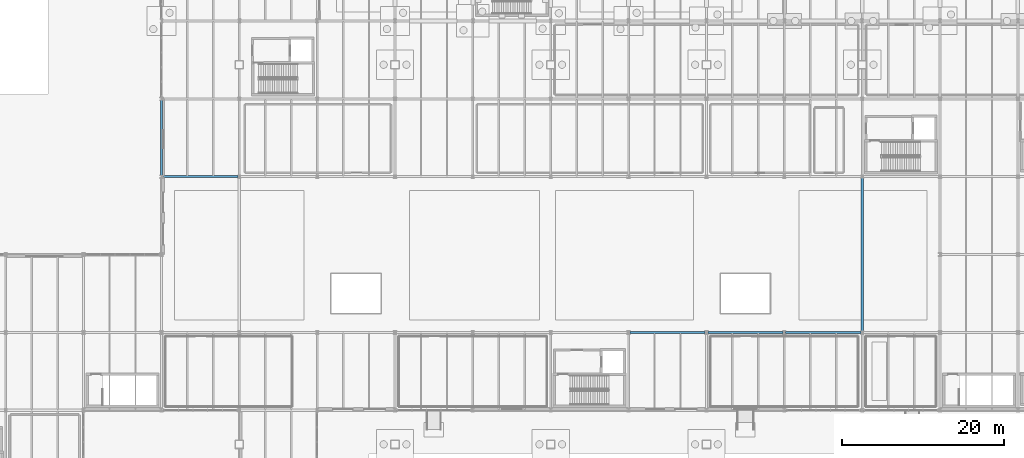
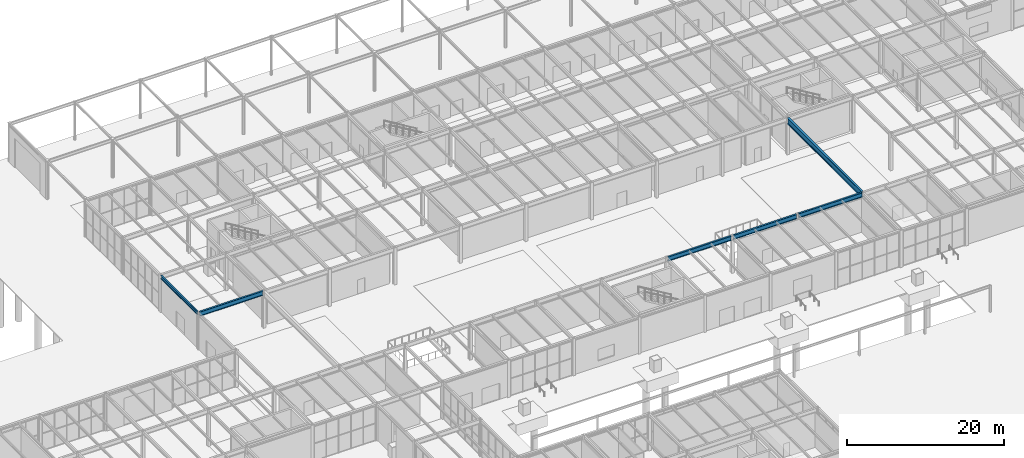
# One storey, part 69 of 142: 6 beams.
"""IFC4 building model written with IfcOpenShell, lengths in metres."""

from ifc_helpers import new_model, si_unit, direction, frame, origin, origin_2d, place, context, subcontext, project, spatial, i_section, extrude, material, material_profile, profile_set, type_object, element, save


model = new_model("IFC4")

# Units and contexts
model_context = context("Model", 3, precision=1e-05, world=origin(), true_north=direction((0.0, 1.0)))
body_context = subcontext(model_context, "Body", "Model", "MODEL_VIEW")
ifc_project = project(units=[si_unit("LENGTHUNIT", "METRE"), si_unit("AREAUNIT", "SQUARE_METRE"), si_unit("VOLUMEUNIT", "CUBIC_METRE"), si_unit("PLANEANGLEUNIT", "RADIAN"), si_unit("MASSUNIT", "GRAM", prefix="KILO")], contexts=[model_context])

# Site, building, storey
site_placement = place(None, origin())
site = spatial("IfcSite", under=ifc_project, at=site_placement, CompositionType="ELEMENT")
building_placement = place(site_placement, origin())
building = spatial("IfcBuilding", under=site, at=building_placement, Name="Coralgate Yard Interchange", CompositionType="ELEMENT")
storey_placement = place(building_placement, origin())
storey = spatial("IfcBuildingStorey", under=building, at=storey_placement, Name="L00", CompositionType="ELEMENT", Elevation=0.0)

# Beams
ifc_material = material(Name="Structural steel S355J2", Category="steel")
ifc_material_profile_1 = material_profile(ifc_material, i_section(OverallWidth=0.209228515625, OverallDepth=0.533203125, WebThickness=0.010009765625, FlangeThickness=0.015625, FilletRadius=0.0126953125, at=origin_2d()), Name="UB 533x210x92")
ifc_profile_set_1 = profile_set([ifc_material_profile_1], Name="Structural steel S355J2")
beam_type_1 = type_object("IfcBeamType", Name="BM-SB-1", PredefinedType="BEAM", material=ifc_profile_set_1)
beam_1_placement = place(storey_placement, frame((38.39990234375, 67.36669921875, 5.4833984375), z_axis=(0.0, 1.0, 0.0), x_axis=(-1.0, 0.0, 0.0)))
element("IfcBeam", 1, at=beam_1_placement, inside=storey, type_object=beam_type_1, Name="L00 primary grid girder X4 Y7-8", PredefinedType="BEAM", context=body_context, shape_type="SweptSolid", body=[
    extrude(i_section(OverallWidth=0.209228515625, OverallDepth=0.533203125, WebThickness=0.010009765625, FlangeThickness=0.015625, FilletRadius=0.0126953125, at=origin_2d()), origin(), (0.0, 0.0, 1.0), 9.2666015625),
])
ifc_material_profile_2 = material_profile(ifc_material, i_section(OverallWidth=0.305419921875, OverallDepth=0.91845703125, WebThickness=0.017333984375, FlangeThickness=0.02783203125, FilletRadius=0.01904296875, at=origin_2d()), Name="UB 914x305x253")
ifc_profile_set_2 = profile_set([ifc_material_profile_2], Name="Structural steel S355J2")
beam_type_2 = type_object("IfcBeamType", Name="BM-SG-1", PredefinedType="BEAM", material=ifc_profile_set_2)
beam_2_placement = place(storey_placement, frame((124.800048828125, 48.166748046875, 5.290771484375), z_axis=(0.0, 1.0, 0.0), x_axis=(-1.0, 0.0, 0.0)))
element("IfcBeam", 2, at=beam_2_placement, inside=storey, type_object=beam_type_2, Name="L00 primary grid girder X13 Y5-7", PredefinedType="BEAM", context=body_context, shape_type="SweptSolid", body=[
    extrude(i_section(OverallWidth=0.305419921875, OverallDepth=0.91845703125, WebThickness=0.017333984375, FlangeThickness=0.02783203125, FilletRadius=0.01904296875, at=origin_2d()), origin(), (0.0, 0.0, 1.0), 18.866455078125),
])
ifc_material_profile_3 = material_profile(ifc_material, i_section(OverallWidth=0.253662109375, OverallDepth=0.68359375, WebThickness=0.012451171875, FlangeThickness=0.01904296875, FilletRadius=0.01513671875, at=origin_2d()), Name="UB 686x254x140")
ifc_profile_set_3 = profile_set([ifc_material_profile_3], Name="Structural steel S355J2")
beam_type_3 = type_object("IfcBeamType", Name="BM-SG-4", PredefinedType="BEAM", material=ifc_profile_set_3)
for number, where, z_axis, x_axis, name in (
    (3, (96.16943359375, 48.0, 5.408203125), (1.0, 0.0, 0.0), (0.0, 1.0, 0.0), "L00 primary grid beam Y5 X10-11"),
    (4, (105.76953125, 48.0, 5.408203125), (1.0, 0.0, 0.0), (0.0, 1.0, 0.0), "L00 primary grid beam Y5 X11-12"),
):
    element("IfcBeam", number, at=place(storey_placement, frame(where, z_axis=z_axis, x_axis=x_axis)), inside=storey, type_object=beam_type_3, Name=name, PredefinedType="BEAM", context=body_context, shape_type="SweptSolid", body=[
        extrude(i_section(OverallWidth=0.253662109375, OverallDepth=0.68359375, WebThickness=0.012451171875, FlangeThickness=0.01904296875, FilletRadius=0.01513671875, at=origin_2d()), origin(), (0.0, 0.0, 1.0), 9.260986328125),
    ])
beam_3_placement = place(storey_placement, frame((115.369384765625, 48.0, 5.408203125), z_axis=(1.0, 0.0, 0.0), x_axis=(0.0, 1.0, 0.0)))
element("IfcBeam", 5, at=beam_3_placement, inside=storey, type_object=beam_type_3, Name="L00 primary grid beam Y5 X12-13", PredefinedType="BEAM", context=body_context, shape_type="SweptSolid", body=[
    extrude(i_section(OverallWidth=0.253662109375, OverallDepth=0.68359375, WebThickness=0.012451171875, FlangeThickness=0.01904296875, FilletRadius=0.01513671875, at=origin_2d()), origin(), (0.0, 0.0, 1.0), 9.26123046875),
])
beam_4_placement = place(storey_placement, frame((38.569580078125, 67.199951171875, 5.408203125), z_axis=(1.0, 0.0, 0.0), x_axis=(0.0, 1.0, 0.0)))
element("IfcBeam", 6, at=beam_4_placement, inside=storey, type_object=beam_type_3, Name="L00 primary grid beam Y7 X4-5", PredefinedType="BEAM", context=body_context, shape_type="SweptSolid", body=[
    extrude(i_section(OverallWidth=0.253662109375, OverallDepth=0.68359375, WebThickness=0.012451171875, FlangeThickness=0.01904296875, FilletRadius=0.01513671875, at=origin_2d()), origin(), (0.0, 0.0, 1.0), 9.260986328125),
])

save(model, "model.ifc")
